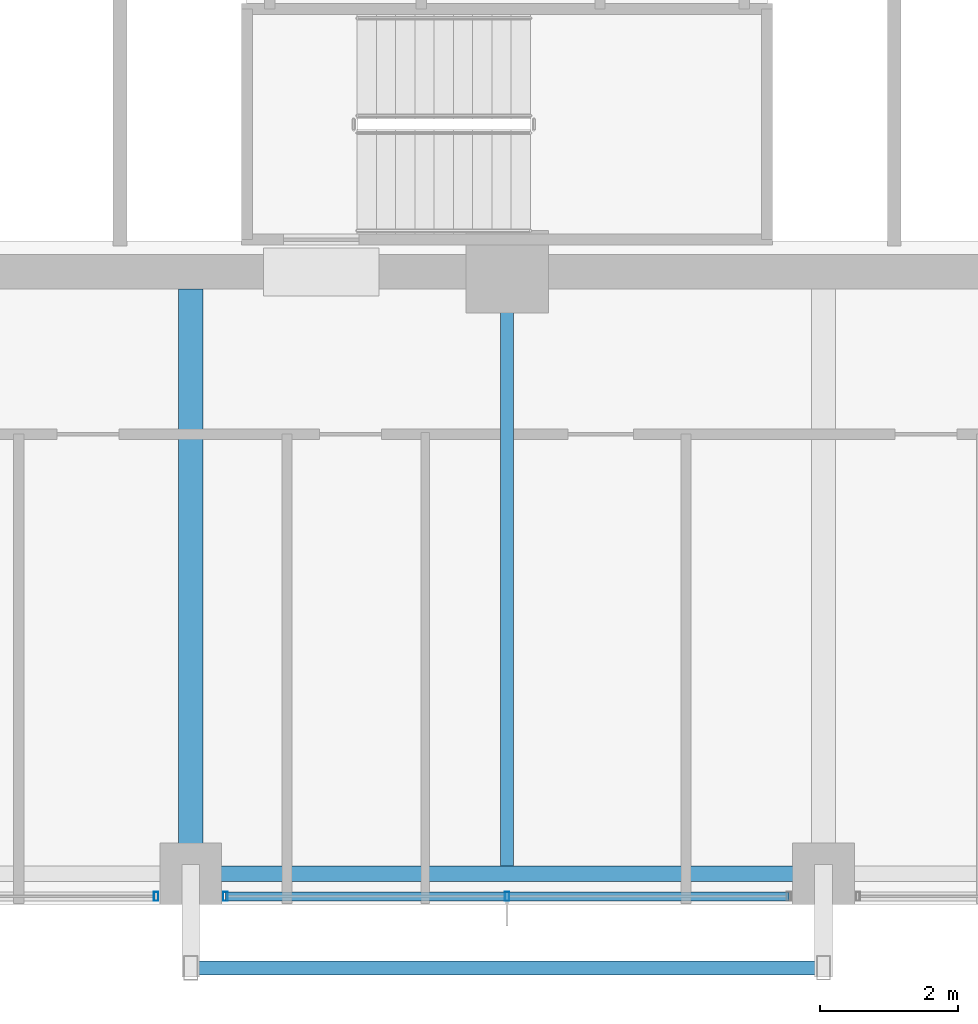
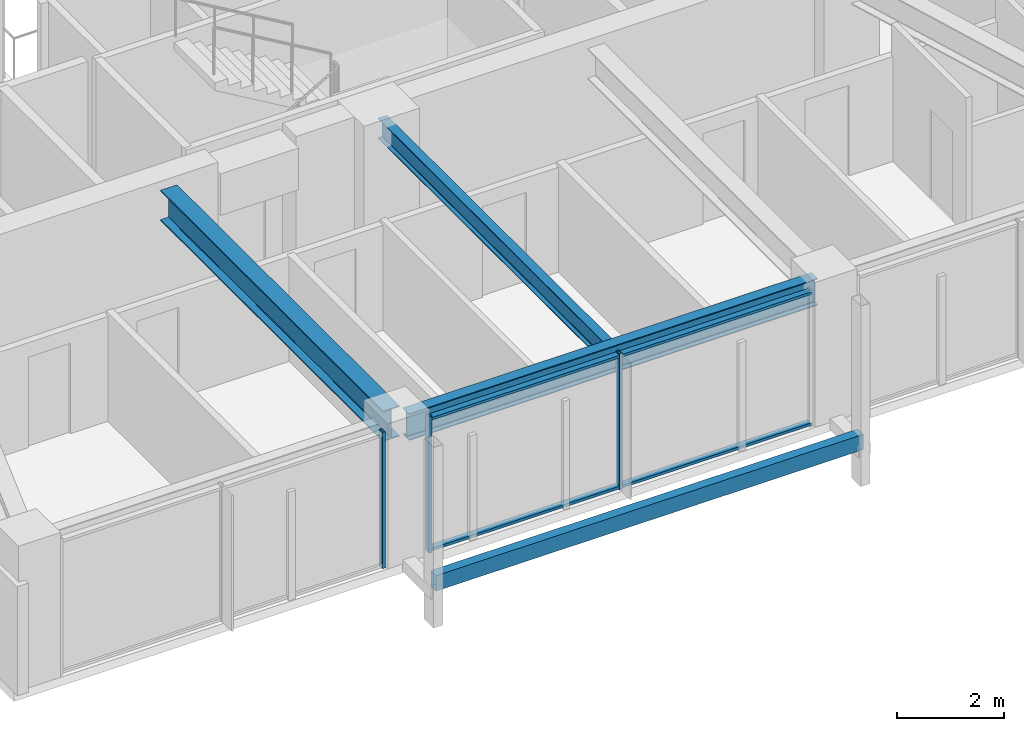
# One storey, part 6 of 37: 6 members, 3 beams, 2 elements without a shape of their own.
"""IFC4 building model written with IfcOpenShell, lengths in metres."""

from ifc_helpers import new_model, si_unit, direction, frame, origin, origin_2d, place, context, subcontext, project, spatial, hollow_rectangle, i_section, extrude, material, material_profile, profile_set, type_object, element, aggregate, save


model = new_model("IFC4")

# Units and contexts
model_context = context("Model", 3, precision=1e-05, world=origin(), true_north=direction((0.0, 1.0)))
body_context = subcontext(model_context, "Body", "Model", "MODEL_VIEW")
ifc_project = project(units=[si_unit("LENGTHUNIT", "METRE"), si_unit("AREAUNIT", "SQUARE_METRE"), si_unit("VOLUMEUNIT", "CUBIC_METRE"), si_unit("PLANEANGLEUNIT", "RADIAN"), si_unit("MASSUNIT", "GRAM", prefix="KILO")], contexts=[model_context])

# Site, building, storey
site_placement = place(None, origin())
site = spatial("IfcSite", under=ifc_project, at=site_placement, CompositionType="ELEMENT")
building_placement = place(site_placement, origin())
building = spatial("IfcBuilding", under=site, at=building_placement, Name="Kolvaren Belvedere", CompositionType="ELEMENT")
storey_placement = place(building_placement, frame((0.0, 0.0, 156.89990234375)))
storey = spatial("IfcBuildingStorey", under=building, at=storey_placement, Name="L45", CompositionType="ELEMENT", Elevation=156.89990234375)

# Beams
ifc_material_1 = material(Name="Structural steel ASTM A992 Grade 50", Category="steel")
ifc_material_profile_1 = material_profile(ifc_material_1, i_section(OverallWidth=0.35498046875, OverallDepth=0.696044921875, WebThickness=0.015380859375, FlangeThickness=0.02490234375, FilletRadius=0.02197265625, at=origin_2d()), Name="W27X146")
ifc_profile_set_1 = profile_set([ifc_material_profile_1], Name="Structural steel ASTM A992 Grade 50")
beam_type_1 = type_object("IfcBeamType", Name="BM-GIRD-W27X146", PredefinedType="BEAM", material=ifc_profile_set_1)
beam_1_placement = place(storey_placement, frame((-4.60009765625, -10.14990234375, 2.752197265625), z_axis=(0.0, -1.0, 0.0), x_axis=(1.0, 0.0, 0.0)))
element("IfcBeam", 1, at=beam_1_placement, inside=storey, type_object=beam_type_1, Name="L45 South Radial Girder M", PredefinedType="BEAM", context=body_context, shape_type="SweptSolid", body=[
    extrude(i_section(OverallWidth=0.35498046875, OverallDepth=0.696044921875, WebThickness=0.015380859375, FlangeThickness=0.02490234375, FilletRadius=0.02197265625, at=origin_2d()), origin(), (0.0, 0.0, 1.0), 8.297607421875),
])
ifc_material_2 = material(Name="Structural steel ASTM A992 Grade 50", Category="steel")
ifc_material_profile_2 = material_profile(ifc_material_2, i_section(OverallWidth=0.19091796875, OverallDepth=0.4599609375, WebThickness=0.010009765625, FlangeThickness=0.01611328125, FilletRadius=0.014892578125, at=origin_2d()), Name="W18X55")
ifc_profile_set_2 = profile_set([ifc_material_profile_2], Name="Structural steel ASTM A992 Grade 50")
beam_type_2 = type_object("IfcBeamType", Name="BM-JOIST-W18X55", PredefinedType="BEAM", material=ifc_profile_set_2)
beam_2_placement = place(storey_placement, frame((0.0, -10.14990234375, 2.8701171875), z_axis=(0.0, -1.0, 0.0), x_axis=(1.0, 0.0, 0.0)))
element("IfcBeam", 2, at=beam_2_placement, inside=storey, type_object=beam_type_2, Name="L45 South Centre Floor Beam", PredefinedType="BEAM", context=body_context, shape_type="SweptSolid", body=[
    extrude(i_section(OverallWidth=0.19091796875, OverallDepth=0.4599609375, WebThickness=0.010009765625, FlangeThickness=0.01611328125, FilletRadius=0.014892578125, at=origin_2d()), origin(), (0.0, 0.0, 1.0), 8.385498046875),
])
ifc_material_3 = material(Name="Structural steel ASTM A992 Grade 50", Category="steel")
ifc_material_profile_3 = material_profile(ifc_material_3, i_section(OverallWidth=0.22900390625, OverallDepth=0.612060546875, WebThickness=0.011962890625, FlangeThickness=0.01953125, FilletRadius=0.01806640625, at=origin_2d()), Name="W24X84")
ifc_profile_set_3 = profile_set([ifc_material_profile_3], Name="Structural steel ASTM A992 Grade 50")
beam_type_3 = type_object("IfcBeamType", Name="BM-SPAN-W24X84", PredefinedType="SPANDREL", material=ifc_profile_set_3)
beam_3_placement = place(storey_placement, frame((-4.3974609375, -18.64990234375, 2.794189453125), z_axis=(1.0, 0.0, 0.0), x_axis=(0.0, 1.0, 0.0)))
element("IfcBeam", 3, at=beam_3_placement, inside=storey, type_object=beam_type_3, Name="L45 Perimeter Spandrel S2-S3", PredefinedType="SPANDREL", context=body_context, shape_type="SweptSolid", body=[
    extrude(i_section(OverallWidth=0.22900390625, OverallDepth=0.612060546875, WebThickness=0.011962890625, FlangeThickness=0.01953125, FilletRadius=0.01806640625, at=origin_2d()), origin(), (0.0, 0.0, 1.0), 8.794921875),
])

# Curtain wall, members
ifc_material_4 = material(Name="Anodised pale-metal aluminium AA 6063-T6", Category="aluminium")
curtain_wall_type = type_object("IfcCurtainWallType", Name="CW-Z3-WAIST", PredefinedType="NOTDEFINED", material=ifc_material_4)
curtain_wall_1_placement = place(storey_placement, origin())
curtain_wall_1 = element("IfcCurtainWall", 4, at=curtain_wall_1_placement, inside=storey, type_object=curtain_wall_type, Name="L45 Unitised Curtain Wall FCW-L45-S-B2", PredefinedType="NOTDEFINED")
ifc_material_5 = material(Name="Anodised pale-metal aluminium AA 6063-T6", Category="aluminium")
ifc_material_profile_4 = material_profile(ifc_material_5, hollow_rectangle(XDim=0.06494140625, YDim=0.1298828125, WallThickness=0.00390625, at=origin_2d()), Name="ALU-MUL-130X65")
ifc_profile_set_4 = profile_set([ifc_material_profile_4], Name="Anodised pale-metal aluminium AA 6063-T6")
member_type_1 = type_object("IfcMemberType", Name="CW-MUL-130", PredefinedType="MULLION", material=ifc_profile_set_4)
member_1_placement = place(storey_placement, frame((0.0, -18.97998046875, 0.0), z_axis=(0.0, 0.0, 1.0), x_axis=(1.0, 0.0, 0.0)))
member_1 = element("IfcMember", 5, at=member_1_placement, type_object=member_type_1, Name="FCW-L45-S-B2 Unitised Mullion 2", PredefinedType="MULLION", context=body_context, shape_type="SweptSolid", body=[
    extrude(hollow_rectangle(XDim=0.06494140625, YDim=0.1298828125, WallThickness=0.00390625, at=origin_2d()), origin(), (0.0, 0.0, 1.0), 3.10009765625),
])
member_2_placement = place(storey_placement, frame((-4.097412109375, -18.97998046875, 0.0), z_axis=(0.0, 0.0, 1.0), x_axis=(1.0, 0.0, 0.0)))
member_2 = element("IfcMember", 6, at=member_2_placement, type_object=member_type_1, Name="FCW-L45-S-B2 Unitised Mullion 3", PredefinedType="MULLION", context=body_context, shape_type="SweptSolid", body=[
    extrude(hollow_rectangle(XDim=0.06494140625, YDim=0.1298828125, WallThickness=0.00390625, at=origin_2d()), origin(), (0.0, 0.0, 1.0), 3.10009765625),
])

# Curtain wall, member
curtain_wall_2_placement = place(storey_placement, origin())
curtain_wall_2 = element("IfcCurtainWall", 7, at=curtain_wall_2_placement, inside=storey, type_object=curtain_wall_type, Name="L45 Unitised Curtain Wall FCW-L45-S-B3", PredefinedType="NOTDEFINED")
member_3_placement = place(storey_placement, frame((-5.1025390625, -18.97998046875, 0.0), z_axis=(0.0, 0.0, 1.0), x_axis=(1.0, 0.0, 0.0)))
member_3 = element("IfcMember", 8, at=member_3_placement, type_object=member_type_1, Name="FCW-L45-S-B3 Unitised Mullion 1", PredefinedType="MULLION", context=body_context, shape_type="SweptSolid", body=[
    extrude(hollow_rectangle(XDim=0.06494140625, YDim=0.1298828125, WallThickness=0.00390625, at=origin_2d()), origin(), (0.0, 0.0, 1.0), 3.10009765625),
])
aggregate(curtain_wall_2, [member_3])

# Member
ifc_material_6 = material(Name="Anodised pale-metal aluminium AA 6063-T6", Category="aluminium")
ifc_material_profile_5 = material_profile(ifc_material_6, hollow_rectangle(XDim=0.06005859375, YDim=0.1298828125, WallThickness=0.00390625, at=origin_2d()), Name="ALU-TRN-130X60")
ifc_profile_set_5 = profile_set([ifc_material_profile_5], Name="Anodised pale-metal aluminium AA 6063-T6")
member_type_2 = type_object("IfcMemberType", Name="CW-TRN-130", PredefinedType="USERDEFINED", material=ifc_profile_set_5)
member_4_placement = place(storey_placement, frame((4.097412109375, -18.97998046875, 0.06005859375), z_axis=(-1.0, 0.0, 0.0), x_axis=(0.0, 0.0, 1.0)))
member_4 = element("IfcMember", 9, at=member_4_placement, type_object=member_type_2, Name="FCW-L45-S-B2 Sill Transom", ObjectType="TRANSOM", PredefinedType="USERDEFINED", context=body_context, shape_type="SweptSolid", body=[
    extrude(hollow_rectangle(XDim=0.06005859375, YDim=0.1298828125, WallThickness=0.00390625, at=origin_2d()), origin(), (0.0, 0.0, 1.0), 8.19482421875),
])

member_5_placement = place(storey_placement, frame((4.097412109375, -18.97998046875, 3.0400390625), z_axis=(-1.0, 0.0, 0.0), x_axis=(0.0, 0.0, 1.0)))
member_5 = element("IfcMember", 10, at=member_5_placement, type_object=member_type_2, Name="FCW-L45-S-B2 Head Transom", ObjectType="TRANSOM", PredefinedType="USERDEFINED", context=body_context, shape_type="SweptSolid", body=[
    extrude(hollow_rectangle(XDim=0.06005859375, YDim=0.1298828125, WallThickness=0.00390625, at=origin_2d()), origin(), (0.0, 0.0, 1.0), 8.19482421875),
])

aggregate(curtain_wall_1, [member_1, member_2, member_4, member_5])

ifc_material_7 = material(Name="Anodised pale-metal aluminium AA 6063-T6", Category="aluminium")
ifc_material_profile_6 = material_profile(ifc_material_7, hollow_rectangle(XDim=0.199951171875, YDim=0.35009765625, WallThickness=0.007568359375, at=origin_2d()), Name="ALU-PF-350X200")
ifc_profile_set_6 = profile_set([ifc_material_profile_6], Name="Anodised pale-metal aluminium AA 6063-T6")
member_type_3 = type_object("IfcMemberType", Name="PF-FRAME-350", PredefinedType="USERDEFINED", material=ifc_profile_set_6)
member_6_placement = place(storey_placement, frame((4.60009765625, -20.02001953125, 0.130126953125), z_axis=(-1.0, 0.0, 0.0), x_axis=(0.0, -1.0, 0.0)))
element("IfcMember", 11, at=member_6_placement, inside=storey, type_object=member_type_3, Name="L45 Outboard Picture-Frame Sill S", ObjectType="PICTURE FRAME FIN", PredefinedType="USERDEFINED", context=body_context, shape_type="SweptSolid", body=[
    extrude(hollow_rectangle(XDim=0.199951171875, YDim=0.35009765625, WallThickness=0.007568359375, at=origin_2d()), origin(), (0.0, 0.0, 1.0), 9.2001953125),
])

save(model, "model.ifc")
